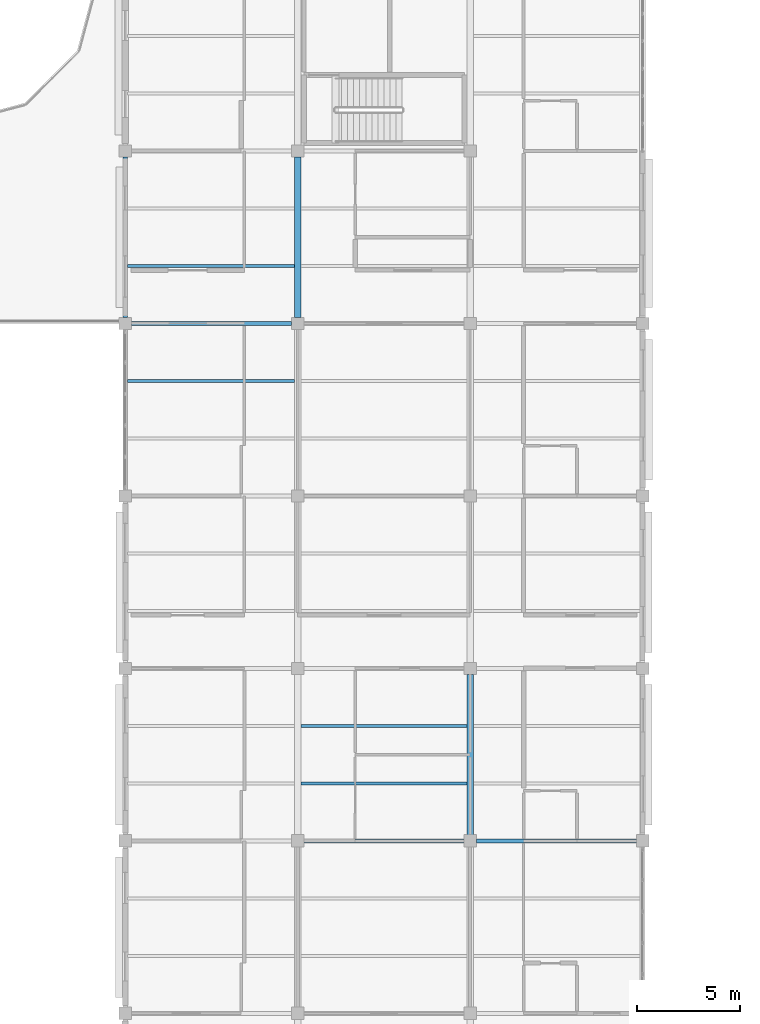
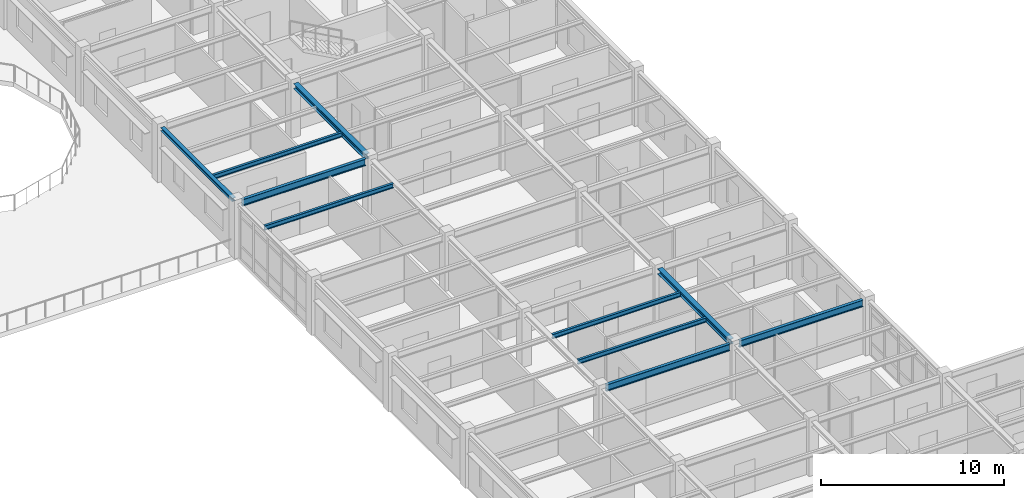
# One storey, part 11 of 86: 10 beams.
"""IFC4 building model written with IfcOpenShell, lengths in metres."""

from ifc_helpers import new_model, si_unit, direction, frame, origin, origin_2d, place, context, subcontext, project, spatial, i_section, extrude, material, material_profile, profile_set, type_object, element, save


model = new_model("IFC4")

# Units and contexts
model_context = context("Model", 3, precision=1e-05, world=origin(), true_north=direction((0.0, 1.0)))
body_context = subcontext(model_context, "Body", "Model", "MODEL_VIEW")
ifc_project = project(units=[si_unit("LENGTHUNIT", "METRE"), si_unit("AREAUNIT", "SQUARE_METRE"), si_unit("VOLUMEUNIT", "CUBIC_METRE"), si_unit("PLANEANGLEUNIT", "RADIAN"), si_unit("MASSUNIT", "GRAM", prefix="KILO")], contexts=[model_context])

# Site, building, storey
site_placement = place(None, origin())
site = spatial("IfcSite", under=ifc_project, at=site_placement, CompositionType="ELEMENT")
building_placement = place(site_placement, origin())
building = spatial("IfcBuilding", under=site, at=building_placement, Name="Bramfleet General Hospital", CompositionType="ELEMENT")
storey_placement = place(building_placement, frame((0.0, 0.0, 18.60009765625)))
storey = spatial("IfcBuildingStorey", under=building, at=storey_placement, Name="L04", CompositionType="ELEMENT", Elevation=18.60009765625)

# Beams
ifc_material = material(Name="Steel S355", Category="steel")
ifc_material_profile_1 = material_profile(ifc_material, i_section(OverallWidth=0.239990234375, OverallDepth=0.22998046875, WebThickness=0.007568359375, FlangeThickness=0.011962890625, FilletRadius=0.02099609375, at=origin_2d()), Name="HEA 240")
ifc_profile_set_1 = profile_set([ifc_material_profile_1], Name="Steel S355")
beam_type_1 = type_object("IfcBeamType", Name="BM-HEA240", PredefinedType="SPANDREL", material=ifc_profile_set_1)
beam_1_placement = place(storey_placement, frame((92.39990234375, 59.10009765625, 3.5048828125), z_axis=(0.0, 1.0, 0.0), x_axis=(-1.0, 0.0, 0.0)))
element("IfcBeam", 1, at=beam_1_placement, inside=storey, type_object=beam_type_1, Name="L04 Grid Beam Y 11-07", PredefinedType="SPANDREL", context=body_context, shape_type="SweptSolid", body=[
    extrude(i_section(OverallWidth=0.239990234375, OverallDepth=0.22998046875, WebThickness=0.007568359375, FlangeThickness=0.011962890625, FilletRadius=0.02099609375, at=origin_2d()), origin(), (0.0, 0.0, 1.0), 7.7998046875),
])
ifc_material_profile_2 = material_profile(ifc_material, i_section(OverallWidth=0.300048828125, OverallDepth=0.35009765625, WebThickness=0.010009765625, FlangeThickness=0.017578125, FilletRadius=0.027099609375, at=origin_2d()), Name="HEA 360")
ifc_profile_set_2 = profile_set([ifc_material_profile_2], Name="Steel S355")
beam_type_2 = type_object("IfcBeamType", Name="BM-HEA360", PredefinedType="BEAM", material=ifc_profile_set_2)
beam_2_placement = place(storey_placement, frame((100.800048828125, 59.10009765625, 3.44482421875), z_axis=(0.0, 1.0, 0.0), x_axis=(-1.0, 0.0, 0.0)))
element("IfcBeam", 2, at=beam_2_placement, inside=storey, type_object=beam_type_2, Name="L04 Grid Beam Y 12-07", PredefinedType="BEAM", context=body_context, shape_type="SweptSolid", body=[
    extrude(i_section(OverallWidth=0.300048828125, OverallDepth=0.35009765625, WebThickness=0.010009765625, FlangeThickness=0.017578125, FilletRadius=0.027099609375, at=origin_2d()), origin(), (0.0, 0.0, 1.0), 7.7998046875),
])
beam_3_placement = place(storey_placement, frame((109.199951171875, 33.89990234375, 3.44482421875), z_axis=(0.0, 1.0, 0.0), x_axis=(-1.0, 0.0, 0.0)))
element("IfcBeam", 3, at=beam_3_placement, inside=storey, type_object=beam_type_2, Name="L04 Grid Beam Y 13-04", PredefinedType="BEAM", context=body_context, shape_type="SweptSolid", body=[
    extrude(i_section(OverallWidth=0.300048828125, OverallDepth=0.35009765625, WebThickness=0.010009765625, FlangeThickness=0.017578125, FilletRadius=0.027099609375, at=origin_2d()), origin(), (0.0, 0.0, 1.0), 7.800048828125),
])
ifc_material_profile_3 = material_profile(ifc_material, i_section(OverallWidth=0.14990234375, OverallDepth=0.300048828125, WebThickness=0.007080078125, FlangeThickness=0.0107421875, FilletRadius=0.014892578125, at=origin_2d()), Name="IPE 300")
ifc_profile_set_3 = profile_set([ifc_material_profile_3], Name="Steel S355")
beam_type_3 = type_object("IfcBeamType", Name="BM-IPE300", PredefinedType="JOIST", material=ifc_profile_set_3)
for number, where, z_axis, x_axis, name in (
    (4, (92.52001953125, 56.0, 3.469970703125), (1.0, 0.0, 0.0), (0.0, 1.0, 0.0), "L04 Secondary Joist 11-06-2"),
    (5, (92.52001953125, 61.60009765625, 3.469970703125), (1.0, 0.0, 0.0), (0.0, 1.0, 0.0), "L04 Secondary Joist 11-07-1"),
):
    element("IfcBeam", number, at=place(storey_placement, frame(where, z_axis=z_axis, x_axis=x_axis)), inside=storey, type_object=beam_type_3, Name=name, PredefinedType="JOIST", context=body_context, shape_type="SweptSolid", body=[
        extrude(i_section(OverallWidth=0.14990234375, OverallDepth=0.300048828125, WebThickness=0.007080078125, FlangeThickness=0.0107421875, FilletRadius=0.014892578125, at=origin_2d()), origin(), (0.0, 0.0, 1.0), 8.1298828125),
    ])
for number, where, z_axis, x_axis, name in (
    (6, (100.949951171875, 36.39990234375, 3.469970703125), (1.0, 0.0, 0.0), (0.0, 1.0, 0.0), "L04 Secondary Joist 12-04-1"),
    (7, (100.949951171875, 39.199951171875, 3.469970703125), (1.0, 0.0, 0.0), (0.0, 1.0, 0.0), "L04 Secondary Joist 12-04-2"),
):
    element("IfcBeam", number, at=place(storey_placement, frame(where, z_axis=z_axis, x_axis=x_axis)), inside=storey, type_object=beam_type_3, Name=name, PredefinedType="JOIST", context=body_context, shape_type="SweptSolid", body=[
        extrude(i_section(OverallWidth=0.14990234375, OverallDepth=0.300048828125, WebThickness=0.007080078125, FlangeThickness=0.0107421875, FilletRadius=0.014892578125, at=origin_2d()), origin(), (0.0, 0.0, 1.0), 8.10009765625),
    ])
ifc_material_profile_4 = material_profile(ifc_material, i_section(OverallWidth=0.18994140625, OverallDepth=0.449951171875, WebThickness=0.009521484375, FlangeThickness=0.0146484375, FilletRadius=0.02099609375, at=origin_2d()), Name="IPE 450")
ifc_profile_set_4 = profile_set([ifc_material_profile_4], Name="Steel S355")
beam_type_4 = type_object("IfcBeamType", Name="BM-IPE450", PredefinedType="BEAM", material=ifc_profile_set_4)
beam_4_placement = place(storey_placement, frame((92.699951171875, 58.800048828125, 3.39501953125), z_axis=(1.0, 0.0, 0.0), x_axis=(0.0, 1.0, 0.0)))
element("IfcBeam", 8, at=beam_4_placement, inside=storey, type_object=beam_type_4, Name="L04 Grid Beam X 11-07", PredefinedType="BEAM", context=body_context, shape_type="SweptSolid", body=[
    extrude(i_section(OverallWidth=0.18994140625, OverallDepth=0.449951171875, WebThickness=0.009521484375, FlangeThickness=0.0146484375, FilletRadius=0.02099609375, at=origin_2d()), origin(), (0.0, 0.0, 1.0), 7.800048828125),
])
beam_5_placement = place(storey_placement, frame((101.10009765625, 33.60009765625, 3.39501953125), z_axis=(1.0, 0.0, 0.0), x_axis=(0.0, 1.0, 0.0)))
element("IfcBeam", 9, at=beam_5_placement, inside=storey, type_object=beam_type_4, Name="L04 Grid Beam X 12-04", PredefinedType="BEAM", context=body_context, shape_type="SweptSolid", body=[
    extrude(i_section(OverallWidth=0.18994140625, OverallDepth=0.449951171875, WebThickness=0.009521484375, FlangeThickness=0.0146484375, FilletRadius=0.02099609375, at=origin_2d()), origin(), (0.0, 0.0, 1.0), 7.7998046875),
])
beam_6_placement = place(storey_placement, frame((109.5, 33.60009765625, 3.39501953125), z_axis=(1.0, 0.0, 0.0), x_axis=(0.0, 1.0, 0.0)))
element("IfcBeam", 10, at=beam_6_placement, inside=storey, type_object=beam_type_4, Name="L04 Grid Beam X 13-04", PredefinedType="BEAM", context=body_context, shape_type="SweptSolid", body=[
    extrude(i_section(OverallWidth=0.18994140625, OverallDepth=0.449951171875, WebThickness=0.009521484375, FlangeThickness=0.0146484375, FilletRadius=0.02099609375, at=origin_2d()), origin(), (0.0, 0.0, 1.0), 7.800048828125),
])

save(model, "model.ifc")
